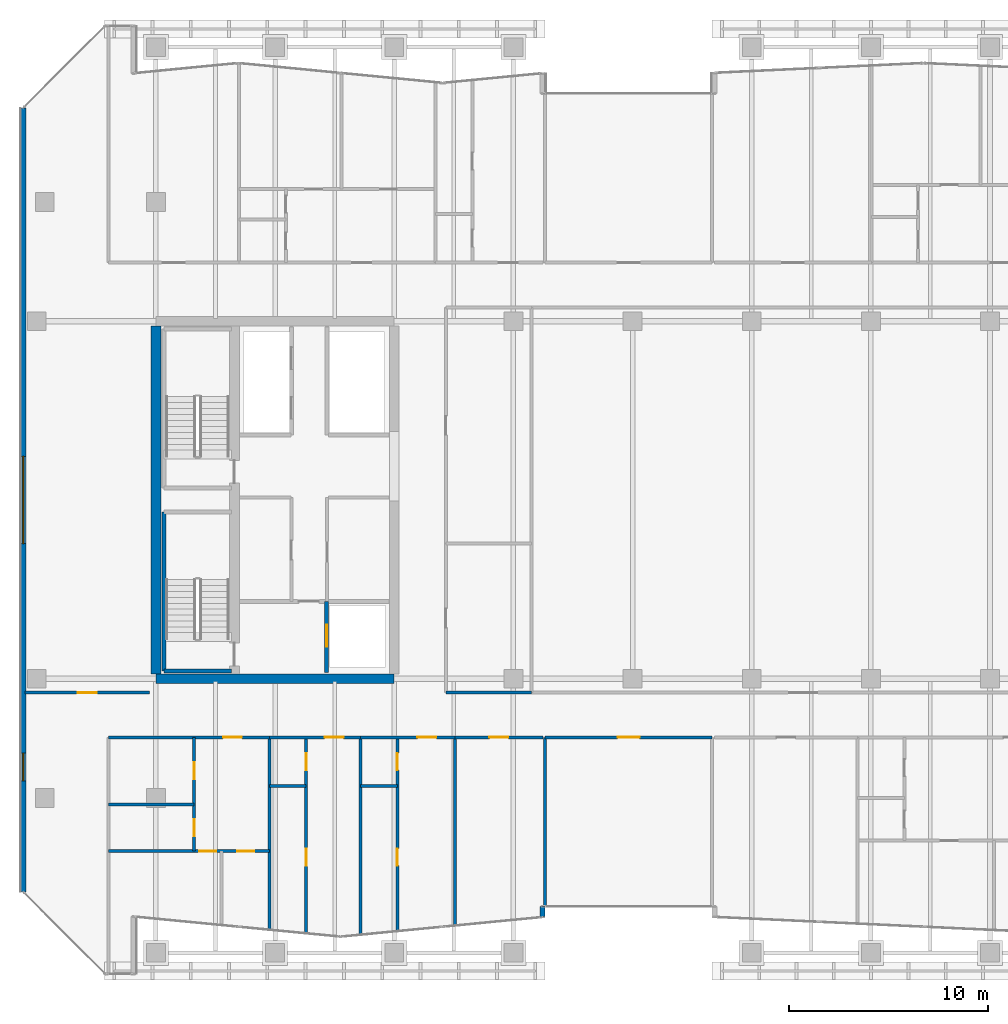
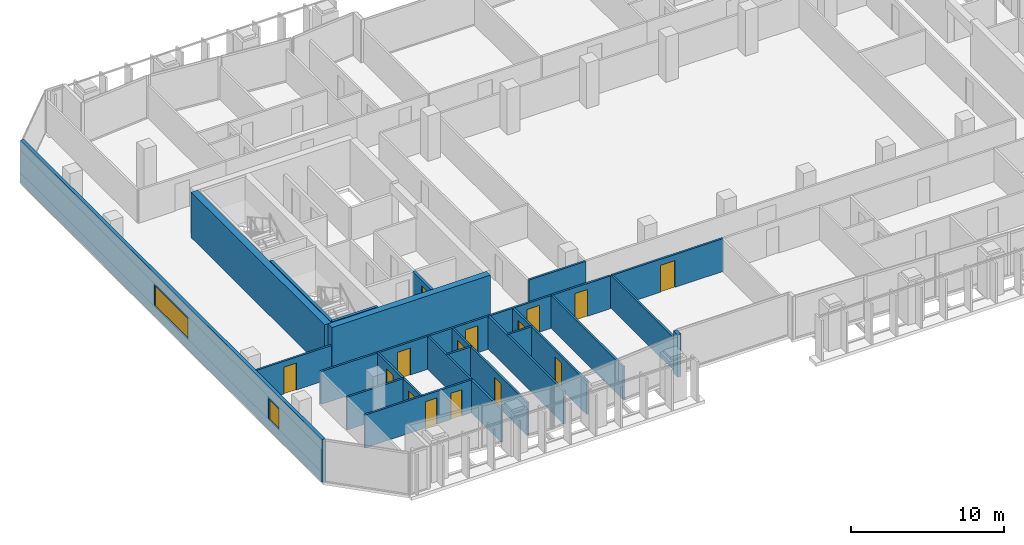
# One storey, part 27 of 39: 25 walls, 15 doors, 2 windows, 17 openings.
"""IFC4 building model written with IfcOpenShell, lengths in metres."""

from ifc_helpers import new_model, si_unit, direction, frame, frame_2d, origin, place, context, subcontext, project, spatial, rectangle, extrude, material, layer, layer_set, type_object, element, fill, save


model = new_model("IFC4")

# Units and contexts
model_context = context("Model", 3, precision=1e-05, world=origin(), true_north=direction((0.0, 1.0)))
body_context = subcontext(model_context, "Body", "Model", "MODEL_VIEW")
ifc_project = project(units=[si_unit("LENGTHUNIT", "METRE"), si_unit("AREAUNIT", "SQUARE_METRE"), si_unit("VOLUMEUNIT", "CUBIC_METRE"), si_unit("PLANEANGLEUNIT", "RADIAN"), si_unit("MASSUNIT", "GRAM", prefix="KILO")], contexts=[model_context])

# Site, building, storey
site_placement = place(None, origin())
site = spatial("IfcSite", under=ifc_project, at=site_placement, CompositionType="ELEMENT")
building_placement = place(site_placement, origin())
building = spatial("IfcBuilding", under=site, at=building_placement, Name="Tanjung Sevakor Pilgrim Tower", CompositionType="ELEMENT")
storey_placement = place(building_placement, frame((0.0, 0.0, 112.199951171875)))
storey = spatial("IfcBuildingStorey", under=building, at=storey_placement, Name="L31", CompositionType="ELEMENT", Elevation=112.199951171875)

# Walls
ifc_material_1 = material(Name="Concrete C60/75", Category="concrete")
ifc_layer_1 = layer(ifc_material_1, 0.5)
ifc_layer_set_1 = layer_set([ifc_layer_1], Name="WALL-CW-500")
wall_type_1 = type_object("IfcWallType", Name="WALL-CW-500", PredefinedType="SHEAR", material=ifc_layer_set_1)
wall_1_placement = place(storey_placement, frame((24.0, 24.60009765625, 0.0), z_axis=(0.0, 0.0, 1.0), x_axis=(1.0, 0.0, 0.0)))
element("IfcWall", 1, at=wall_1_placement, inside=storey, type_object=wall_type_1, Name="L31 W Core South Shear Wall", PredefinedType="SHEAR", context=body_context, shape_type="SweptSolid", body=[
    extrude(rectangle(XDim=12.0, YDim=0.5, at=frame_2d((6.0, 0.0))), origin(), (0.0, 0.0, 1.0), 3.630126953125),
])
wall_2_placement = place(storey_placement, frame((24.0, 24.85009765625, 0.0), z_axis=(0.0, 0.0, 1.0), x_axis=(0.0, 1.0, 0.0)))
element("IfcWall", 2, at=wall_2_placement, inside=storey, type_object=wall_type_1, Name="L31 W Core Outer Shear Wall", PredefinedType="SHEAR", context=body_context, shape_type="SweptSolid", body=[
    extrude(rectangle(XDim=17.5, YDim=0.5, at=frame_2d((8.75, 0.0))), origin(), (0.0, 0.0, 1.0), 3.630126953125),
])
ifc_material_2 = material(Name="Concrete C40/50", Category="concrete")
ifc_layer_2 = layer(ifc_material_2, 0.14990234375)
ifc_layer_set_2 = layer_set([ifc_layer_2], Name="WT-COMP-150")
wall_type_2 = type_object("IfcWallType", Name="WT-COMP-150", PredefinedType="SOLIDWALL", material=ifc_layer_set_2)
wall_3_placement = place(storey_placement, frame((38.60009765625, 23.89990234375, 0.0), z_axis=(0.0, 0.0, 1.0), x_axis=(1.0, 0.0, 0.0)))
element("IfcWall", 3, at=wall_3_placement, inside=storey, type_object=wall_type_2, Name="L31 Partition IW-L31-021", PredefinedType="SOLIDWALL", context=body_context, shape_type="SweptSolid", body=[
    extrude(rectangle(XDim=4.2998046875, YDim=0.14990234375, at=frame_2d((2.14990234375, 0.0))), origin(), (0.0, 0.0, 1.0), 2.6298828125),
])

# Wall, opening, door
wall_4_placement = place(storey_placement, frame((17.409912109375, 23.89990234375, 0.0), z_axis=(0.0, 0.0, 1.0), x_axis=(1.0, 0.0, 0.0)))
wall_4 = element("IfcWall", 4, at=wall_4_placement, inside=storey, type_object=wall_type_2, Name="L31 Partition IW-L31-035", PredefinedType="SOLIDWALL", context=body_context, shape_type="SweptSolid", body=[
    extrude(rectangle(XDim=6.27001953125, YDim=0.14990234375, at=frame_2d((3.135009765625, 0.0))), origin(), (0.0, 0.0, 1.0), 2.6298828125),
])
opening_1_placement = place(wall_4_placement, frame((2.659912109375, 0.0, 0.0)))
opening_1 = element("IfcOpeningElement", 5, at=opening_1_placement, cuts=wall_4, Name="Opening ID-FD2", PredefinedType="OPENING", context=body_context, shape_type="SweptSolid", body=[
    extrude(rectangle(XDim=0.949951171875, YDim=2.14990234375, at=frame_2d((0.47509765625, 1.074951171875))), frame((0.0, 0.0849609375, 0.0), z_axis=(0.0, -1.0, 0.0), x_axis=(1.0, 0.0, 0.0)), (0.0, 0.0, 1.0), 0.169921875),
])
ifc_material_3 = material(Name="Fire-Rated Timber", Category="wood")
door_type_1 = type_object("IfcDoorType", Name="DT-FIRE-950", OperationType="NOTDEFINED", PredefinedType="DOOR", material=ifc_material_3)
door_1_placement = place(opening_1_placement, origin())
door_1 = element("IfcDoor", 6, at=door_1_placement, inside=storey, type_object=door_type_1, Name="Study Room Entrance", OperationType="SINGLE_SWING_LEFT", OverallHeight=2.14990234375, OverallWidth=0.949951171875, PredefinedType="DOOR", context=body_context, shape_type="SweptSolid", body=[
    extrude(rectangle(XDim=0.949951171875, YDim=2.14990234375, at=frame_2d((0.47509765625, 1.074951171875))), frame((0.0, 0.02490234375, 0.0), z_axis=(0.0, -1.0, 0.0), x_axis=(1.0, 0.0, 0.0)), (0.0, 0.0, 1.0), 0.050048828125),
])
fill(opening_1, door_1)

wall_5_placement = place(storey_placement, frame((43.60009765625, 21.64990234375, 0.0), z_axis=(0.0, 0.0, 1.0), x_axis=(1.0, 0.0, 0.0)))
wall_5 = element("IfcWall", 7, at=wall_5_placement, inside=storey, type_object=wall_type_2, Name="L31 Partition IW-L31-042", PredefinedType="SOLIDWALL", context=body_context, shape_type="SweptSolid", body=[
    extrude(rectangle(XDim=8.39990234375, YDim=0.14990234375, at=frame_2d((4.199951171875, 0.0))), origin(), (0.0, 0.0, 1.0), 2.6298828125),
])
opening_2_placement = place(wall_5_placement, frame((3.64990234375, 0.0, 0.0)))
opening_2 = element("IfcOpeningElement", 8, at=opening_2_placement, cuts=wall_5, Name="Opening ID-RM2", PredefinedType="OPENING", context=body_context, shape_type="SweptSolid", body=[
    extrude(rectangle(XDim=1.10009765625, YDim=2.14990234375, at=frame_2d((0.550048828125, 1.074951171875))), frame((0.0, 0.0849609375, 0.0), z_axis=(0.0, -1.0, 0.0), x_axis=(1.0, 0.0, 0.0)), (0.0, 0.0, 1.0), 0.169921875),
])
ifc_material_4 = material(Name="Hardwood Timber", Category="wood")
door_type_2 = type_object("IfcDoorType", Name="DT-INT-1100", OperationType="NOTDEFINED", PredefinedType="DOOR", material=ifc_material_4)
door_2_placement = place(opening_2_placement, origin())
door_2 = element("IfcDoor", 9, at=door_2_placement, inside=storey, type_object=door_type_2, Name="L31 South Cleft Observatory Door", OperationType="SINGLE_SWING_RIGHT", OverallHeight=2.14990234375, OverallWidth=1.10009765625, PredefinedType="DOOR", context=body_context, shape_type="SweptSolid", body=[
    extrude(rectangle(XDim=1.10009765625, YDim=2.14990234375, at=frame_2d((0.550048828125, 1.074951171875))), frame((0.0, 0.02490234375, 0.0), z_axis=(0.0, -1.0, 0.0), x_axis=(1.0, 0.0, 0.0)), (0.0, 0.0, 1.0), 0.050048828125),
])
fill(opening_2, door_2)

# Walls
wall_6_placement = place(storey_placement, frame((43.60009765625, 13.125, 0.0), z_axis=(0.0, 0.0, 1.0), x_axis=(0.0, 1.0, 0.0)))
element("IfcWall", 10, at=wall_6_placement, inside=storey, type_object=wall_type_2, Name="L31 Partition IW-L31-043", PredefinedType="SOLIDWALL", context=body_context, shape_type="SweptSolid", body=[
    extrude(rectangle(XDim=8.52490234375, YDim=0.14990234375, at=frame_2d((4.262451171875, 0.0))), origin(), (0.0, 0.0, 1.0), 2.6298828125),
])
wall_7_placement = place(storey_placement, frame((29.712890625, 11.953857421875, 0.0), z_axis=(0.0, 0.0, 1.0), x_axis=(0.0, 1.0, 0.0)))
element("IfcWall", 11, at=wall_7_placement, inside=storey, type_object=wall_type_2, Name="L31 Partition IW-L31-049", PredefinedType="SOLIDWALL", context=body_context, shape_type="SweptSolid", body=[
    extrude(rectangle(XDim=9.696044921875, YDim=0.14990234375, at=frame_2d((4.84814453125, 0.0))), origin(), (0.0, 0.0, 1.0), 2.6298828125),
])

# Wall, opening, door
wall_8_placement = place(storey_placement, frame((21.60009765625, 21.64990234375, 0.0), z_axis=(0.0, 0.0, 1.0), x_axis=(1.0, 0.0, 0.0)))
wall_8 = element("IfcWall", 12, at=wall_8_placement, inside=storey, type_object=wall_type_2, Name="L31 Partition IW-L31-054", PredefinedType="SOLIDWALL", context=body_context, shape_type="SweptSolid", body=[
    extrude(rectangle(XDim=8.11279296875, YDim=0.14990234375, at=frame_2d((4.056396484375, 0.0))), origin(), (0.0, 0.0, 1.0), 2.6298828125),
])
opening_3_placement = place(wall_8_placement, frame((5.781494140625, 0.0, 0.0)))
opening_3 = element("IfcOpeningElement", 13, at=opening_3_placement, cuts=wall_8, Name="Opening ID-FD2", PredefinedType="OPENING", context=body_context, shape_type="SweptSolid", body=[
    extrude(rectangle(XDim=0.949951171875, YDim=2.14990234375, at=frame_2d((0.47509765625, 1.074951171875))), frame((0.0, 0.0849609375, 0.0), z_axis=(0.0, -1.0, 0.0), x_axis=(1.0, 0.0, 0.0)), (0.0, 0.0, 1.0), 0.169921875),
])
door_3_placement = place(opening_3_placement, origin())
door_3 = element("IfcDoor", 14, at=door_3_placement, inside=storey, type_object=door_type_1, Name="Suite Entrance", OperationType="SINGLE_SWING_RIGHT", OverallHeight=2.14990234375, OverallWidth=0.949951171875, PredefinedType="DOOR", context=body_context, shape_type="SweptSolid", body=[
    extrude(rectangle(XDim=0.949951171875, YDim=2.14990234375, at=frame_2d((0.47509765625, 1.074951171875))), frame((0.0, 0.02490234375, 0.0), z_axis=(0.0, -1.0, 0.0), x_axis=(1.0, 0.0, 0.0)), (0.0, 0.0, 1.0), 0.050048828125),
])
fill(opening_3, door_3)

# Wall
wall_9_placement = place(storey_placement, frame((34.302001953125, 11.702880859375, 0.0), z_axis=(0.0, 0.0, 1.0), x_axis=(0.0, 1.0, 0.0)))
element("IfcWall", 15, at=wall_9_placement, inside=storey, type_object=wall_type_2, Name="L31 Partition IW-L31-055", PredefinedType="SOLIDWALL", context=body_context, shape_type="SweptSolid", body=[
    extrude(rectangle(XDim=9.947021484375, YDim=0.14990234375, at=frame_2d((4.9736328125, 0.0))), origin(), (0.0, 0.0, 1.0), 2.6298828125),
])

# Wall, opening, door
wall_10_placement = place(storey_placement, frame((29.712890625, 21.64990234375, 0.0), z_axis=(0.0, 0.0, 1.0), x_axis=(1.0, 0.0, 0.0)))
wall_10 = element("IfcWall", 16, at=wall_10_placement, inside=storey, type_object=wall_type_2, Name="L31 Partition IW-L31-058", PredefinedType="SOLIDWALL", context=body_context, shape_type="SweptSolid", body=[
    extrude(rectangle(XDim=4.589111328125, YDim=0.14990234375, at=frame_2d((2.29443359375, 0.0))), origin(), (0.0, 0.0, 1.0), 2.6298828125),
])
opening_4_placement = place(wall_10_placement, frame((2.784423828125, 0.0, 0.0)))
opening_4 = element("IfcOpeningElement", 17, at=opening_4_placement, cuts=wall_10, Name="Opening ID-FD2", PredefinedType="OPENING", context=body_context, shape_type="SweptSolid", body=[
    extrude(rectangle(XDim=0.949951171875, YDim=2.14990234375, at=frame_2d((0.47509765625, 1.074951171875))), frame((0.0, 0.0849609375, 0.0), z_axis=(0.0, -1.0, 0.0), x_axis=(1.0, 0.0, 0.0)), (0.0, 0.0, 1.0), 0.169921875),
])
door_4_placement = place(opening_4_placement, origin())
door_4 = element("IfcDoor", 18, at=door_4_placement, inside=storey, type_object=door_type_1, Name="Hotel Guestroom Entrance", OperationType="SINGLE_SWING_LEFT", OverallHeight=2.14990234375, OverallWidth=0.949951171875, PredefinedType="DOOR", context=body_context, shape_type="SweptSolid", body=[
    extrude(rectangle(XDim=0.949951171875, YDim=2.14990234375, at=frame_2d((0.47509765625, 1.074951171875))), frame((0.0, 0.02490234375, 0.0), z_axis=(0.0, -1.0, 0.0), x_axis=(1.0, 0.0, 0.0)), (0.0, 0.0, 1.0), 0.050048828125),
])
fill(opening_4, door_4)

# Wall
wall_11_placement = place(storey_placement, frame((39.054931640625, 12.164306640625, 0.0), z_axis=(0.0, 0.0, 1.0), x_axis=(0.0, 1.0, 0.0)))
element("IfcWall", 19, at=wall_11_placement, inside=storey, type_object=wall_type_2, Name="L31 Partition IW-L31-059", PredefinedType="SOLIDWALL", context=body_context, shape_type="SweptSolid", body=[
    extrude(rectangle(XDim=9.485595703125, YDim=0.14990234375, at=frame_2d((4.74267578125, 0.0))), origin(), (0.0, 0.0, 1.0), 2.6298828125),
])

# Wall, opening, door
wall_12_placement = place(storey_placement, frame((34.302001953125, 21.64990234375, 0.0), z_axis=(0.0, 0.0, 1.0), x_axis=(1.0, 0.0, 0.0)))
wall_12 = element("IfcWall", 20, at=wall_12_placement, inside=storey, type_object=wall_type_2, Name="L31 Partition IW-L31-062", PredefinedType="SOLIDWALL", context=body_context, shape_type="SweptSolid", body=[
    extrude(rectangle(XDim=4.7529296875, YDim=0.14990234375, at=frame_2d((2.37646484375, 0.0))), origin(), (0.0, 0.0, 1.0), 2.6298828125),
])
opening_5_placement = place(wall_12_placement, frame((2.866455078125, 0.0, 0.0)))
opening_5 = element("IfcOpeningElement", 21, at=opening_5_placement, cuts=wall_12, Name="Opening ID-FD2", PredefinedType="OPENING", context=body_context, shape_type="SweptSolid", body=[
    extrude(rectangle(XDim=0.949951171875, YDim=2.14990234375, at=frame_2d((0.47509765625, 1.074951171875))), frame((0.0, 0.0849609375, 0.0), z_axis=(0.0, -1.0, 0.0), x_axis=(1.0, 0.0, 0.0)), (0.0, 0.0, 1.0), 0.169921875),
])
door_5_placement = place(opening_5_placement, origin())
door_5 = element("IfcDoor", 22, at=door_5_placement, inside=storey, type_object=door_type_1, Name="Hostel Quad Entrance", OperationType="SINGLE_SWING_RIGHT", OverallHeight=2.14990234375, OverallWidth=0.949951171875, PredefinedType="DOOR", context=body_context, shape_type="SweptSolid", body=[
    extrude(rectangle(XDim=0.949951171875, YDim=2.14990234375, at=frame_2d((0.47509765625, 1.074951171875))), frame((0.0, 0.02490234375, 0.0), z_axis=(0.0, -1.0, 0.0), x_axis=(1.0, 0.0, 0.0)), (0.0, 0.0, 1.0), 0.050048828125),
])
fill(opening_5, door_5)

wall_13_placement = place(storey_placement, frame((39.054931640625, 21.64990234375, 0.0), z_axis=(0.0, 0.0, 1.0), x_axis=(1.0, 0.0, 0.0)))
wall_13 = element("IfcWall", 23, at=wall_13_placement, inside=storey, type_object=wall_type_2, Name="L31 Partition IW-L31-063", PredefinedType="SOLIDWALL", context=body_context, shape_type="SweptSolid", body=[
    extrude(rectangle(XDim=4.425048828125, YDim=0.14990234375, at=frame_2d((2.21240234375, 0.0))), origin(), (0.0, 0.0, 1.0), 2.6298828125),
])
opening_6_placement = place(wall_13_placement, frame((1.737548828125, 0.0, 0.0)))
opening_6 = element("IfcOpeningElement", 24, at=opening_6_placement, cuts=wall_13, Name="Opening ID-FD2", PredefinedType="OPENING", context=body_context, shape_type="SweptSolid", body=[
    extrude(rectangle(XDim=0.949951171875, YDim=2.14990234375, at=frame_2d((0.47509765625, 1.074951171875))), frame((0.0, 0.0849609375, 0.0), z_axis=(0.0, -1.0, 0.0), x_axis=(1.0, 0.0, 0.0)), (0.0, 0.0, 1.0), 0.169921875),
])
door_6_placement = place(opening_6_placement, origin())
door_6 = element("IfcDoor", 25, at=door_6_placement, inside=storey, type_object=door_type_1, Name="Study Room Entrance", OperationType="SINGLE_SWING_LEFT", OverallHeight=2.14990234375, OverallWidth=0.949951171875, PredefinedType="DOOR", context=body_context, shape_type="SweptSolid", body=[
    extrude(rectangle(XDim=0.949951171875, YDim=2.14990234375, at=frame_2d((0.47509765625, 1.074951171875))), frame((0.0, 0.02490234375, 0.0), z_axis=(0.0, -1.0, 0.0), x_axis=(1.0, 0.0, 0.0)), (0.0, 0.0, 1.0), 0.050048828125),
])
fill(opening_6, door_6)

# Wall
ifc_material_5 = material(Name="Precast concrete C45/55", Category="concrete")
ifc_layer_3 = layer(ifc_material_5, 0.25)
ifc_layer_set_3 = layer_set([ifc_layer_3], Name="WT-EW-STN3")
wall_type_3 = type_object("IfcWallType", Name="WT-EW-STN3", PredefinedType="SOLIDWALL", material=ifc_layer_set_3)
wall_14_placement = place(storey_placement, frame((43.47509765625, 12.593505859375, 0.0), z_axis=(0.0, 0.0, 1.0), x_axis=(0.0, 1.0, 0.0)))
element("IfcWall", 26, at=wall_14_placement, inside=storey, type_object=wall_type_3, Name="L31 MAIN Exterior Wall 7", PredefinedType="SOLIDWALL", context=body_context, shape_type="SweptSolid", body=[
    extrude(rectangle(XDim=0.531494140625, YDim=0.25, at=frame_2d((0.265625, 0.0))), origin(), (0.0, 0.0, 1.0), 3.409912109375),
])

# Wall, openings, windows
wall_15_placement = place(storey_placement, frame((17.324951171875, 53.34814453125, 0.0), z_axis=(0.0, 0.0, 1.0), x_axis=(0.0, -1.0, 0.0)))
wall_15 = element("IfcWall", 27, at=wall_15_placement, inside=storey, type_object=wall_type_3, Name="L31 MAIN Exterior Wall 35", PredefinedType="SOLIDWALL", context=body_context, shape_type="SweptSolid", body=[
    extrude(rectangle(XDim=39.496337890625, YDim=0.25, at=frame_2d((19.748046875, 0.0))), origin(), (0.0, 0.0, 1.0), 3.409912109375),
])
opening_7_placement = place(wall_15_placement, frame((17.548095703125, 0.0, 0.780029296875)))
opening_7 = element("IfcOpeningElement", 28, at=opening_7_placement, cuts=wall_15, Name="Opening WN-ENDW-1660", PredefinedType="OPENING", context=body_context, shape_type="SweptSolid", body=[
    extrude(rectangle(XDim=4.39990234375, YDim=1.659912109375, at=frame_2d((2.199951171875, 0.830078125))), frame((0.0, 0.135009765625, 0.0), z_axis=(0.0, -1.0, 0.0), x_axis=(1.0, 0.0, 0.0)), (0.0, 0.0, 1.0), 0.27001953125),
])
opening_8_placement = place(wall_15_placement, frame((32.4921875, 0.0, 0.780029296875)))
opening_8 = element("IfcOpeningElement", 29, at=opening_8_placement, cuts=wall_15, Name="Opening WN-END", PredefinedType="OPENING", context=body_context, shape_type="SweptSolid", body=[
    extrude(rectangle(XDim=1.39990234375, YDim=1.64990234375, at=frame_2d((0.699951171875, 0.824951171875))), frame((0.0, 0.135009765625, 0.0), z_axis=(0.0, -1.0, 0.0), x_axis=(1.0, 0.0, 0.0)), (0.0, 0.0, 1.0), 0.27001953125),
])
ifc_material_6 = material(Name="Thermally Broken Aluminium and Low-E Glass", Category="aluminium")
window_type_1 = type_object("IfcWindowType", Name="WTYP-WN-END", PartitioningType="SINGLE_PANEL", PredefinedType="WINDOW", material=ifc_material_6)
window_1_placement = place(opening_8_placement, origin())
window_1 = element("IfcWindow", 30, at=window_1_placement, inside=storey, type_object=window_type_1, Name="L31 Facade Window 02", OverallHeight=1.64990234375, OverallWidth=1.39990234375, PartitioningType="SINGLE_PANEL", PredefinedType="WINDOW", context=body_context, shape_type="SweptSolid", body=[
    extrude(rectangle(XDim=1.39990234375, YDim=1.64990234375, at=frame_2d((0.699951171875, 0.824951171875))), frame((0.0, 0.030029296875, 0.0), z_axis=(0.0, -1.0, 0.0), x_axis=(1.0, 0.0, 0.0)), (0.0, 0.0, 1.0), 0.06005859375),
])
fill(opening_8, window_1)
ifc_material_7 = material(Name="Thermally Broken Aluminium and Low-E Glass", Category="aluminium")
window_type_2 = type_object("IfcWindowType", Name="WTYP-WN-ENDW-1660", PartitioningType="DOUBLE_PANEL_VERTICAL", PredefinedType="WINDOW", material=ifc_material_7)
window_2_placement = place(opening_7_placement, origin())
window_2 = element("IfcWindow", 31, at=window_2_placement, inside=storey, type_object=window_type_2, Name="L31 Facade Window 01", OverallHeight=1.659912109375, OverallWidth=4.39990234375, PartitioningType="SINGLE_PANEL", PredefinedType="WINDOW", context=body_context, shape_type="SweptSolid", body=[
    extrude(rectangle(XDim=4.39990234375, YDim=1.659912109375, at=frame_2d((2.199951171875, 0.830078125))), frame((0.0, 0.030029296875, 0.0), z_axis=(0.0, -1.0, 0.0), x_axis=(1.0, 0.0, 0.0)), (0.0, 0.0, 1.0), 0.06005859375),
])
fill(opening_7, window_2)

# Walls
ifc_material_8 = material(Name="Concrete C40/50", Category="concrete")
ifc_layer_4 = layer(ifc_material_8, 0.199951171875)
ifc_layer_set_4 = layer_set([ifc_layer_4], Name="WT-FIRE-200")
wall_type_4 = type_object("IfcWallType", Name="WT-FIRE-200", PredefinedType="SOLIDWALL", material=ifc_layer_set_4)
wall_16_placement = place(storey_placement, frame((24.39990234375, 25.0, 0.0), z_axis=(0.0, 0.0, 1.0), x_axis=(1.0, 0.0, 0.0)))
element("IfcWall", 32, at=wall_16_placement, inside=storey, type_object=wall_type_4, Name="L31 TS-W1 Shaft Wall 1", PredefinedType="SOLIDWALL", context=body_context, shape_type="SweptSolid", body=[
    extrude(rectangle(XDim=3.400146484375, YDim=0.199951171875, at=frame_2d((1.7001953125, 0.0))), origin(), (0.0, 0.0, 1.0), 3.630126953125),
])
wall_17_placement = place(storey_placement, frame((24.39990234375, 33.0, 0.0), z_axis=(0.0, 0.0, 1.0), x_axis=(0.0, -1.0, 0.0)))
element("IfcWall", 33, at=wall_17_placement, inside=storey, type_object=wall_type_4, Name="L31 TS-W1 Shaft Wall 3", PredefinedType="SOLIDWALL", context=body_context, shape_type="SweptSolid", body=[
    extrude(rectangle(XDim=8.0, YDim=0.199951171875, at=frame_2d((4.0, 0.0))), origin(), (0.0, 0.0, 1.0), 3.630126953125),
])

# Wall, opening, door
ifc_material_9 = material(Name="Concrete C40/50", Category="concrete")
ifc_layer_5 = layer(ifc_material_9, 0.199951171875)
ifc_layer_set_5 = layer_set([ifc_layer_5], Name="WT-FPRT-200")
wall_type_5 = type_object("IfcWallType", Name="WT-FPRT-200", PredefinedType="SOLIDWALL", material=ifc_layer_set_5)
wall_18_placement = place(storey_placement, frame((32.60009765625, 24.919921875, 0.0), z_axis=(0.0, 0.0, 1.0), x_axis=(0.0, 1.0, 0.0)))
wall_18 = element("IfcWall", 34, at=wall_18_placement, inside=storey, type_object=wall_type_5, Name="L31 Partition IW-L31-001", PredefinedType="SOLIDWALL", context=body_context, shape_type="SweptSolid", body=[
    extrude(rectangle(XDim=3.580078125, YDim=0.199951171875, at=frame_2d((1.7900390625, 0.0))), origin(), (0.0, 0.0, 1.0), 2.6298828125),
])
opening_9_placement = place(wall_18_placement, frame((1.300048828125, 0.0, 0.0)))
opening_9 = element("IfcOpeningElement", 35, at=opening_9_placement, cuts=wall_18, Name="Opening LD-1100", PredefinedType="OPENING", context=body_context, shape_type="SweptSolid", body=[
    extrude(rectangle(XDim=1.10009765625, YDim=2.199951171875, at=frame_2d((0.550048828125, 1.10009765625))), frame((0.0, 0.10986328125, 0.0), z_axis=(0.0, -1.0, 0.0), x_axis=(1.0, 0.0, 0.0)), (0.0, 0.0, 1.0), 0.219970703125),
])
ifc_material_10 = material(Name="Brushed Stainless Steel S355J2", Category="steel")
door_type_3 = type_object("IfcDoorType", Name="DT-LIFT-1100", OperationType="SLIDING_TO_LEFT", PredefinedType="DOOR", material=ifc_material_10)
door_7_placement = place(opening_9_placement, origin())
door_7 = element("IfcDoor", 36, at=door_7_placement, inside=storey, type_object=door_type_3, Name="LD-FL-W", OperationType="SLIDING_TO_LEFT", OverallHeight=2.199951171875, OverallWidth=1.10009765625, PredefinedType="DOOR", context=body_context, shape_type="SweptSolid", body=[
    extrude(rectangle(XDim=1.10009765625, YDim=2.199951171875, at=frame_2d((0.550048828125, 1.10009765625))), frame((0.0, 0.02490234375, 0.0), z_axis=(0.0, -1.0, 0.0), x_axis=(1.0, 0.0, 0.0)), (0.0, 0.0, 1.0), 0.050048828125),
])
fill(opening_9, door_7)

# Wall
ifc_material_11 = material(Name="Gypsum Board Partition", Category="gypsum board")
ifc_layer_6 = layer(ifc_material_11, 0.14990234375)
ifc_layer_set_6 = layer_set([ifc_layer_6], Name="WT-PART-150")
wall_type_6 = type_object("IfcWallType", Name="WT-PART-150", PredefinedType="PARTITIONING", material=ifc_layer_set_6)
wall_19_placement = place(storey_placement, frame((21.60009765625, 18.267333984375, 0.0), z_axis=(0.0, 0.0, 1.0), x_axis=(1.0, 0.0, 0.0)))
element("IfcWall", 37, at=wall_19_placement, inside=storey, type_object=wall_type_6, Name="L31 Partition IW-L31-050", PredefinedType="PARTITIONING", context=body_context, shape_type="SweptSolid", body=[
    extrude(rectangle(XDim=4.31982421875, YDim=0.14990234375, at=frame_2d((2.159912109375, 0.0))), origin(), (0.0, 0.0, 1.0), 2.6298828125),
])

# Wall, openings, doors
wall_20_placement = place(storey_placement, frame((25.919921875, 15.916748046875, 0.0), z_axis=(0.0, 0.0, 1.0), x_axis=(0.0, 1.0, 0.0)))
wall_20 = element("IfcWall", 38, at=wall_20_placement, inside=storey, type_object=wall_type_6, Name="L31 Partition IW-L31-051", PredefinedType="PARTITIONING", context=body_context, shape_type="SweptSolid", body=[
    extrude(rectangle(XDim=5.733154296875, YDim=0.14990234375, at=frame_2d((2.86669921875, 0.0))), origin(), (0.0, 0.0, 1.0), 2.6298828125),
])
opening_10_placement = place(wall_20_placement, frame((0.750244140625, 0.0, 0.0)))
opening_10 = element("IfcOpeningElement", 39, at=opening_10_placement, cuts=wall_20, Name="Opening ID-WC1", PredefinedType="OPENING", context=body_context, shape_type="SweptSolid", body=[
    extrude(rectangle(XDim=0.85009765625, YDim=2.10009765625, at=frame_2d((0.425048828125, 1.050048828125))), frame((0.0, 0.0849609375, 0.0), z_axis=(0.0, -1.0, 0.0), x_axis=(1.0, 0.0, 0.0)), (0.0, 0.0, 1.0), 0.169921875),
])
opening_11_placement = place(wall_20_placement, frame((3.616943359375, 0.0, 0.0)))
opening_11 = element("IfcOpeningElement", 40, at=opening_11_placement, cuts=wall_20, Name="Opening ID-WC1", PredefinedType="OPENING", context=body_context, shape_type="SweptSolid", body=[
    extrude(rectangle(XDim=0.85009765625, YDim=2.10009765625, at=frame_2d((0.425048828125, 1.050048828125))), frame((0.0, 0.0849609375, 0.0), z_axis=(0.0, -1.0, 0.0), x_axis=(1.0, 0.0, 0.0)), (0.0, 0.0, 1.0), 0.169921875),
])
ifc_material_12 = material(Name="Moisture-Resistant Timber", Category="wood")
door_type_4 = type_object("IfcDoorType", Name="DT-INT-850", OperationType="NOTDEFINED", PredefinedType="DOOR", material=ifc_material_12)
door_8_placement = place(opening_10_placement, origin())
door_8 = element("IfcDoor", 41, at=door_8_placement, inside=storey, type_object=door_type_4, Name="Suite Bathroom Door", OperationType="SINGLE_SWING_RIGHT", OverallHeight=2.10009765625, OverallWidth=0.85009765625, PredefinedType="DOOR", context=body_context, shape_type="SweptSolid", body=[
    extrude(rectangle(XDim=0.85009765625, YDim=2.10009765625, at=frame_2d((0.425048828125, 1.050048828125))), frame((0.0, 0.02490234375, 0.0), z_axis=(0.0, -1.0, 0.0), x_axis=(1.0, 0.0, 0.0)), (0.0, 0.0, 1.0), 0.050048828125),
])
fill(opening_10, door_8)
door_9_placement = place(opening_11_placement, origin())
door_9 = element("IfcDoor", 42, at=door_9_placement, inside=storey, type_object=door_type_4, Name="Suite Kitchenette Door", OperationType="SINGLE_SWING_LEFT", OverallHeight=2.10009765625, OverallWidth=0.85009765625, PredefinedType="DOOR", context=body_context, shape_type="SweptSolid", body=[
    extrude(rectangle(XDim=0.85009765625, YDim=2.10009765625, at=frame_2d((0.425048828125, 1.050048828125))), frame((0.0, 0.02490234375, 0.0), z_axis=(0.0, -1.0, 0.0), x_axis=(1.0, 0.0, 0.0)), (0.0, 0.0, 1.0), 0.050048828125),
])
fill(opening_11, door_9)

wall_21_placement = place(storey_placement, frame((21.60009765625, 15.916748046875, 0.0), z_axis=(0.0, 0.0, 1.0), x_axis=(1.0, 0.0, 0.0)))
wall_21 = element("IfcWall", 43, at=wall_21_placement, inside=storey, type_object=wall_type_6, Name="L31 Partition IW-L31-053", PredefinedType="PARTITIONING", context=body_context, shape_type="SweptSolid", body=[
    extrude(rectangle(XDim=8.11279296875, YDim=0.14990234375, at=frame_2d((4.056396484375, 0.0))), origin(), (0.0, 0.0, 1.0), 2.6298828125),
])
opening_12_placement = place(wall_21_placement, frame((4.59130859375, 0.0, 0.0)))
opening_12 = element("IfcOpeningElement", 44, at=opening_12_placement, cuts=wall_21, Name="Opening ID-WC1", PredefinedType="OPENING", context=body_context, shape_type="SweptSolid", body=[
    extrude(rectangle(XDim=0.85009765625, YDim=2.10009765625, at=frame_2d((0.425048828125, 1.050048828125))), frame((0.0, 0.0849609375, 0.0), z_axis=(0.0, -1.0, 0.0), x_axis=(1.0, 0.0, 0.0)), (0.0, 0.0, 1.0), 0.169921875),
])
opening_13_placement = place(wall_21_placement, frame((6.48779296875, 0.0, 0.0)))
opening_13 = element("IfcOpeningElement", 45, at=opening_13_placement, cuts=wall_21, Name="Opening ID-WC1", PredefinedType="OPENING", context=body_context, shape_type="SweptSolid", body=[
    extrude(rectangle(XDim=0.85009765625, YDim=2.10009765625, at=frame_2d((0.425048828125, 1.050048828125))), frame((0.0, 0.0849609375, 0.0), z_axis=(0.0, -1.0, 0.0), x_axis=(1.0, 0.0, 0.0)), (0.0, 0.0, 1.0), 0.169921875),
])
door_10_placement = place(opening_12_placement, origin())
door_10 = element("IfcDoor", 46, at=door_10_placement, inside=storey, type_object=door_type_4, Name="Suite Bedroom 1 Door", OperationType="SINGLE_SWING_RIGHT", OverallHeight=2.10009765625, OverallWidth=0.85009765625, PredefinedType="DOOR", context=body_context, shape_type="SweptSolid", body=[
    extrude(rectangle(XDim=0.85009765625, YDim=2.10009765625, at=frame_2d((0.425048828125, 1.050048828125))), frame((0.0, 0.02490234375, 0.0), z_axis=(0.0, -1.0, 0.0), x_axis=(1.0, 0.0, 0.0)), (0.0, 0.0, 1.0), 0.050048828125),
])
fill(opening_12, door_10)
door_11_placement = place(opening_13_placement, origin())
door_11 = element("IfcDoor", 47, at=door_11_placement, inside=storey, type_object=door_type_4, Name="Suite Bedroom 2 Door", OperationType="SINGLE_SWING_LEFT", OverallHeight=2.10009765625, OverallWidth=0.85009765625, PredefinedType="DOOR", context=body_context, shape_type="SweptSolid", body=[
    extrude(rectangle(XDim=0.85009765625, YDim=2.10009765625, at=frame_2d((0.425048828125, 1.050048828125))), frame((0.0, 0.02490234375, 0.0), z_axis=(0.0, -1.0, 0.0), x_axis=(1.0, 0.0, 0.0)), (0.0, 0.0, 1.0), 0.050048828125),
])
fill(opening_13, door_11)

# Wall
wall_22_placement = place(storey_placement, frame((29.712890625, 19.199951171875, 0.0), z_axis=(0.0, 0.0, 1.0), x_axis=(1.0, 0.0, 0.0)))
element("IfcWall", 48, at=wall_22_placement, inside=storey, type_object=wall_type_6, Name="L31 Partition IW-L31-056", PredefinedType="PARTITIONING", context=body_context, shape_type="SweptSolid", body=[
    extrude(rectangle(XDim=1.849853515625, YDim=0.14990234375, at=frame_2d((0.9248046875, 0.0))), origin(), (0.0, 0.0, 1.0), 2.6298828125),
])

# Wall, openings, doors
wall_23_placement = place(storey_placement, frame((31.562744140625, 11.7744140625, 0.0), z_axis=(0.0, 0.0, 1.0), x_axis=(0.0, 1.0, 0.0)))
wall_23 = element("IfcWall", 49, at=wall_23_placement, inside=storey, type_object=wall_type_6, Name="L31 Partition IW-L31-057", PredefinedType="PARTITIONING", context=body_context, shape_type="SweptSolid", body=[
    extrude(rectangle(XDim=9.87548828125, YDim=0.14990234375, at=frame_2d((4.937744140625, 0.0))), origin(), (0.0, 0.0, 1.0), 2.6298828125),
])
opening_14_placement = place(wall_23_placement, frame((3.415771484375, 0.0, 0.0)))
opening_14 = element("IfcOpeningElement", 50, at=opening_14_placement, cuts=wall_23, Name="Opening ID-WC1", PredefinedType="OPENING", context=body_context, shape_type="SweptSolid", body=[
    extrude(rectangle(XDim=0.85009765625, YDim=2.10009765625, at=frame_2d((0.425048828125, 1.050048828125))), frame((0.0, 0.0849609375, 0.0), z_axis=(0.0, -1.0, 0.0), x_axis=(1.0, 0.0, 0.0)), (0.0, 0.0, 1.0), 0.169921875),
])
opening_15_placement = place(wall_23_placement, frame((8.2255859375, 0.0, 0.0)))
opening_15 = element("IfcOpeningElement", 51, at=opening_15_placement, cuts=wall_23, Name="Opening ID-WC1", PredefinedType="OPENING", context=body_context, shape_type="SweptSolid", body=[
    extrude(rectangle(XDim=0.85009765625, YDim=2.10009765625, at=frame_2d((0.425048828125, 1.050048828125))), frame((0.0, 0.0849609375, 0.0), z_axis=(0.0, -1.0, 0.0), x_axis=(1.0, 0.0, 0.0)), (0.0, 0.0, 1.0), 0.169921875),
])
door_12_placement = place(opening_14_placement, origin())
door_12 = element("IfcDoor", 52, at=door_12_placement, inside=storey, type_object=door_type_4, Name="Study Nook Door", OperationType="SINGLE_SWING_LEFT", OverallHeight=2.10009765625, OverallWidth=0.85009765625, PredefinedType="DOOR", context=body_context, shape_type="SweptSolid", body=[
    extrude(rectangle(XDim=0.85009765625, YDim=2.10009765625, at=frame_2d((0.425048828125, 1.050048828125))), frame((0.0, 0.02490234375, 0.0), z_axis=(0.0, -1.0, 0.0), x_axis=(1.0, 0.0, 0.0)), (0.0, 0.0, 1.0), 0.050048828125),
])
fill(opening_14, door_12)
door_13_placement = place(opening_15_placement, origin())
door_13 = element("IfcDoor", 53, at=door_13_placement, inside=storey, type_object=door_type_4, Name="Bathroom Door", OperationType="SINGLE_SWING_RIGHT", OverallHeight=2.10009765625, OverallWidth=0.85009765625, PredefinedType="DOOR", context=body_context, shape_type="SweptSolid", body=[
    extrude(rectangle(XDim=0.85009765625, YDim=2.10009765625, at=frame_2d((0.425048828125, 1.050048828125))), frame((0.0, 0.02490234375, 0.0), z_axis=(0.0, -1.0, 0.0), x_axis=(1.0, 0.0, 0.0)), (0.0, 0.0, 1.0), 0.050048828125),
])
fill(opening_15, door_13)

# Wall
wall_24_placement = place(storey_placement, frame((34.302001953125, 19.199951171875, 0.0), z_axis=(0.0, 0.0, 1.0), x_axis=(1.0, 0.0, 0.0)))
element("IfcWall", 54, at=wall_24_placement, inside=storey, type_object=wall_type_6, Name="L31 Partition IW-L31-060", PredefinedType="PARTITIONING", context=body_context, shape_type="SweptSolid", body=[
    extrude(rectangle(XDim=1.849853515625, YDim=0.14990234375, at=frame_2d((0.9248046875, 0.0))), origin(), (0.0, 0.0, 1.0), 2.6298828125),
])

# Wall, openings, doors
wall_25_placement = place(storey_placement, frame((36.15185546875, 11.882568359375, 0.0), z_axis=(0.0, 0.0, 1.0), x_axis=(0.0, 1.0, 0.0)))
wall_25 = element("IfcWall", 55, at=wall_25_placement, inside=storey, type_object=wall_type_6, Name="L31 Partition IW-L31-061", PredefinedType="PARTITIONING", context=body_context, shape_type="SweptSolid", body=[
    extrude(rectangle(XDim=9.767333984375, YDim=0.14990234375, at=frame_2d((4.8837890625, 0.0))), origin(), (0.0, 0.0, 1.0), 2.6298828125),
])
opening_16_placement = place(wall_25_placement, frame((3.3076171875, 0.0, 0.0)))
opening_16 = element("IfcOpeningElement", 56, at=opening_16_placement, cuts=wall_25, Name="Opening ID-WC1", PredefinedType="OPENING", context=body_context, shape_type="SweptSolid", body=[
    extrude(rectangle(XDim=0.85009765625, YDim=2.10009765625, at=frame_2d((0.425048828125, 1.050048828125))), frame((0.0, 0.0849609375, 0.0), z_axis=(0.0, -1.0, 0.0), x_axis=(1.0, 0.0, 0.0)), (0.0, 0.0, 1.0), 0.169921875),
])
opening_17_placement = place(wall_25_placement, frame((8.117431640625, 0.0, 0.0)))
opening_17 = element("IfcOpeningElement", 57, at=opening_17_placement, cuts=wall_25, Name="Opening ID-WC1", PredefinedType="OPENING", context=body_context, shape_type="SweptSolid", body=[
    extrude(rectangle(XDim=0.85009765625, YDim=2.10009765625, at=frame_2d((0.425048828125, 1.050048828125))), frame((0.0, 0.0849609375, 0.0), z_axis=(0.0, -1.0, 0.0), x_axis=(1.0, 0.0, 0.0)), (0.0, 0.0, 1.0), 0.169921875),
])
door_14_placement = place(opening_16_placement, origin())
door_14 = element("IfcDoor", 58, at=door_14_placement, inside=storey, type_object=door_type_4, Name="Study Nook Door", OperationType="SINGLE_SWING_RIGHT", OverallHeight=2.10009765625, OverallWidth=0.85009765625, PredefinedType="DOOR", context=body_context, shape_type="SweptSolid", body=[
    extrude(rectangle(XDim=0.85009765625, YDim=2.10009765625, at=frame_2d((0.425048828125, 1.050048828125))), frame((0.0, 0.02490234375, 0.0), z_axis=(0.0, -1.0, 0.0), x_axis=(1.0, 0.0, 0.0)), (0.0, 0.0, 1.0), 0.050048828125),
])
fill(opening_16, door_14)
door_15_placement = place(opening_17_placement, origin())
door_15 = element("IfcDoor", 59, at=door_15_placement, inside=storey, type_object=door_type_4, Name="Bathroom Door", OperationType="SINGLE_SWING_LEFT", OverallHeight=2.10009765625, OverallWidth=0.85009765625, PredefinedType="DOOR", context=body_context, shape_type="SweptSolid", body=[
    extrude(rectangle(XDim=0.85009765625, YDim=2.10009765625, at=frame_2d((0.425048828125, 1.050048828125))), frame((0.0, 0.02490234375, 0.0), z_axis=(0.0, -1.0, 0.0), x_axis=(1.0, 0.0, 0.0)), (0.0, 0.0, 1.0), 0.050048828125),
])
fill(opening_17, door_15)

save(model, "model.ifc")
